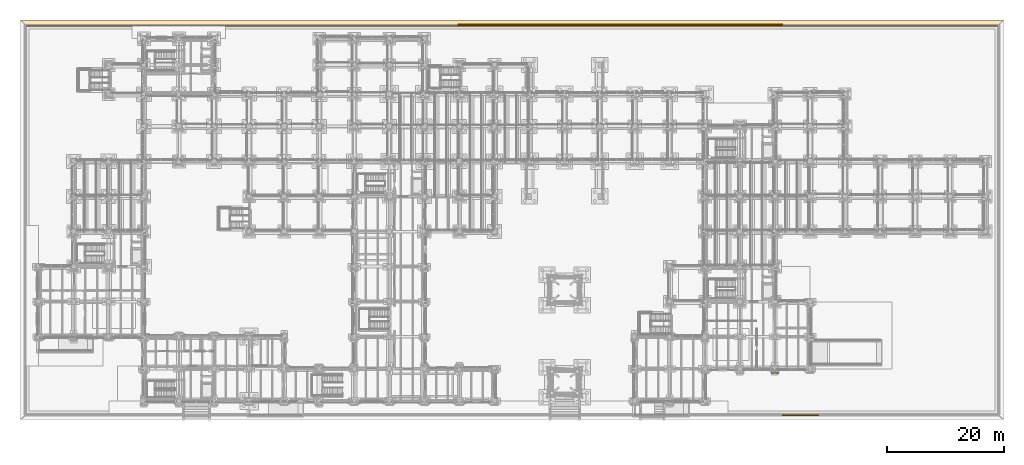
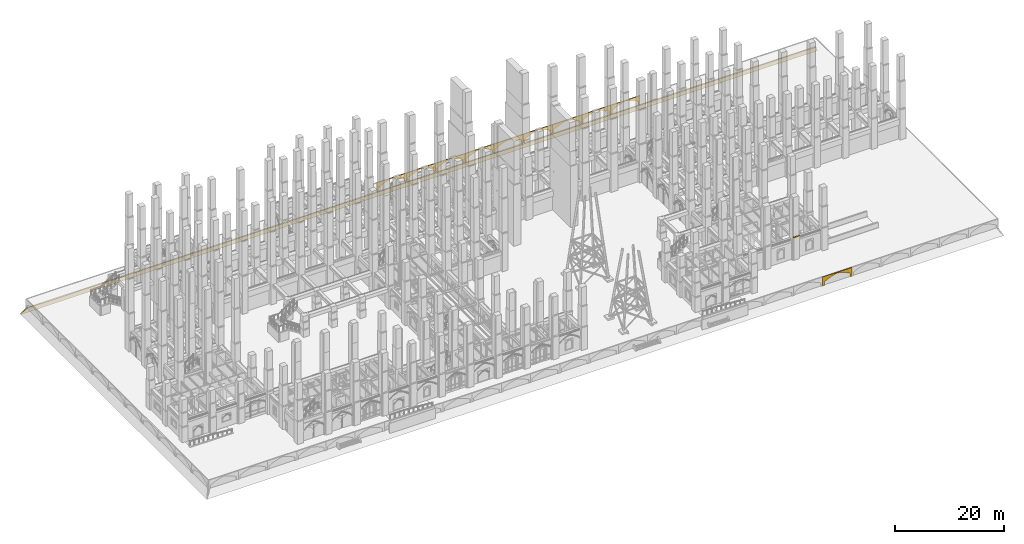
# One storey, part 123 of 135: 12 coverings.
"""IFC4 building model written with IfcOpenShell, lengths in metres."""

from ifc_helpers import new_model, si_unit, direction, frame, origin, place, context, subcontext, project, spatial, polyline, outline, extrude, material, type_object, element, save


model = new_model("IFC4")

# Units and contexts
model_context = context("Model", 3, precision=1e-05, world=origin(), true_north=direction((0.0, 1.0)))
body_context = subcontext(model_context, "Body", "Model", "MODEL_VIEW")
ifc_project = project(units=[si_unit("LENGTHUNIT", "METRE"), si_unit("AREAUNIT", "SQUARE_METRE"), si_unit("VOLUMEUNIT", "CUBIC_METRE"), si_unit("PLANEANGLEUNIT", "RADIAN"), si_unit("MASSUNIT", "GRAM", prefix="KILO")], contexts=[model_context])

# Site, building, storey
site_placement = place(None, origin())
site = spatial("IfcSite", under=ifc_project, at=site_placement, CompositionType="ELEMENT")
building_placement = place(site_placement, origin())
building = spatial("IfcBuilding", under=site, at=building_placement, Name="Cumevento Cable Car Station", CompositionType="ELEMENT")
storey_placement = place(building_placement, origin())
storey = spatial("IfcBuildingStorey", under=building, at=storey_placement, Name="L01", CompositionType="ELEMENT", Elevation=0.0)

# Coverings
ifc_material = material(Name="Gnaisse Facoidal Stone Ashlar 85 MPa", Category="masonry")
covering_type = type_object("IfcCoveringType", Name="Gnaisse Ashlar Cladding CV-CL01", PredefinedType="CLADDING", material=ifc_material)
covering_1_placement = place(storey_placement, frame((129.360107421875, 8.739990234375, 5.095703125), z_axis=(0.0, -0.711135781079, 0.703054692658), x_axis=(1.0, 0.0, 0.0)))
element("IfcCovering", 1, at=covering_1_placement, inside=storey, type_object=covering_type, Name="Gothic Buttress Sloped Stone Weathering 1 bt:130.0:9.5", PredefinedType="CLADDING", context=body_context, shape_type="SweptSolid", body=[
    extrude(outline(polyline([(0.0, 0.0), (1.27978515625, 0.0), (1.27978515625, 0.24169083397703695), (0.0, 0.24169083397703695), (0.0, 0.0)])), origin(), (0.0, 0.0, -1.0), 0.090087890625),
])
covering_2_placement = place(storey_placement, frame((137.479736328125, 1.64990234375, -1.919921875), z_axis=(0.0, 0.0, 1.0), x_axis=(-1.0, 0.0, 0.0)))
element("IfcCovering", 2, at=covering_2_placement, inside=storey, type_object=covering_type, Name="Gothic Ogival Pointed-Arch Stone Spandrel cumevento_plinth:plinth_arch:S:21", PredefinedType="CLADDING", context=body_context, shape_type="SweptSolid", body=[
    extrude(outline(polyline([(-0.02001953125, 0.0), (-0.02001953125, 1.9599609375), (6.194091796875, 1.9599609375), (6.194091796875, 0.0), (5.81396484375, 0.0), (5.81396484375, 0.77001953125), (5.3857421875, 1.00390625), (4.945068359375, 1.213623046875), (4.493408203125, 1.3984375), (4.0322265625, 1.558349609375), (3.56298828125, 1.692138671875), (3.087158203125, 1.800048828125), (2.611083984375, 1.692138671875), (2.141845703125, 1.558349609375), (1.6806640625, 1.3984375), (1.22900390625, 1.213623046875), (0.788330078125, 1.00390625), (0.360107421875, 0.77001953125), (0.360107421875, 0.0), (-0.02001953125, 0.0)])), frame((0.0, 0.14990234375, 0.0), z_axis=(0.0, -1.0, 0.0), x_axis=(1.0, 0.0, 0.0)), (0.0, 0.0, 1.0), 0.179931640625),
])
covering_3_placement = place(storey_placement, frame((169.199951171875, 69.199951171875, -3.52001953125), z_axis=(0.0, 0.880314012934, 0.474391440303), x_axis=(-1.0, 0.0, 0.0)))
element("IfcCovering", 3, at=covering_3_placement, inside=storey, type_object=covering_type, Name="Battered Granite Bedrock Toe Glacis N", PredefinedType="CLADDING", context=body_context, shape_type="SweptSolid", body=[
    extrude(outline(polyline([(0.0, 0.0), (168.39990234375, 0.0), (167.599853515625, 1.896961596050447), (0.800048828125, 1.896961596050447), (0.0, 0.0)])), origin(), (0.0, 0.0, -1.0), 0.199951171875),
])
for number, where, z_axis, x_axis, name in (
    (4, (125.131591796875, 68.35009765625, -1.919921875), (0.0, 0.0, 1.0), (1.0, 0.0, 0.0), "Gothic Ogival Pointed-Arch Stone Spandrel cumevento_plinth:plinth_arch:N:6"),
    (5, (118.95751953125, 68.35009765625, -1.919921875), (0.0, 0.0, 1.0), (1.0, 0.0, 0.0), "Gothic Ogival Pointed-Arch Stone Spandrel cumevento_plinth:plinth_arch:N:7"),
    (6, (112.783447265625, 68.35009765625, -1.919921875), (0.0, 0.0, 1.0), (1.0, 0.0, 0.0), "Gothic Ogival Pointed-Arch Stone Spandrel cumevento_plinth:plinth_arch:N:8"),
    (7, (106.609375, 68.35009765625, -1.919921875), (0.0, 0.0, 1.0), (1.0, 0.0, 0.0), "Gothic Ogival Pointed-Arch Stone Spandrel cumevento_plinth:plinth_arch:N:9"),
    (8, (100.435302734375, 68.35009765625, -1.919921875), (0.0, 0.0, 1.0), (1.0, 0.0, 0.0), "Gothic Ogival Pointed-Arch Stone Spandrel cumevento_plinth:plinth_arch:N:10"),
    (9, (94.26123046875, 68.35009765625, -1.919921875), (0.0, 0.0, 1.0), (1.0, 0.0, 0.0), "Gothic Ogival Pointed-Arch Stone Spandrel cumevento_plinth:plinth_arch:N:11"),
    (10, (88.087158203125, 68.35009765625, -1.919921875), (0.0, 0.0, 1.0), (1.0, 0.0, 0.0), "Gothic Ogival Pointed-Arch Stone Spandrel cumevento_plinth:plinth_arch:N:12"),
    (11, (81.912841796875, 68.35009765625, -1.919921875), (0.0, 0.0, 1.0), (1.0, 0.0, 0.0), "Gothic Ogival Pointed-Arch Stone Spandrel cumevento_plinth:plinth_arch:N:13"),
    (12, (75.73876953125, 68.35009765625, -1.919921875), (0.0, 0.0, 1.0), (1.0, 0.0, 0.0), "Gothic Ogival Pointed-Arch Stone Spandrel cumevento_plinth:plinth_arch:N:14"),
):
    element("IfcCovering", number, at=place(storey_placement, frame(where, z_axis=z_axis, x_axis=x_axis)), inside=storey, type_object=covering_type, Name=name, PredefinedType="CLADDING", context=body_context, shape_type="SweptSolid", body=[
        extrude(outline(polyline([(-0.02001953125, 0.0), (-0.02001953125, 1.9599609375), (6.194091796875, 1.9599609375), (6.194091796875, 0.0), (5.81396484375, 0.0), (5.81396484375, 0.77001953125), (5.3857421875, 1.00390625), (4.945068359375, 1.213623046875), (4.493408203125, 1.3984375), (4.0322265625, 1.558349609375), (3.56298828125, 1.692138671875), (3.087158203125, 1.800048828125), (2.611083984375, 1.692138671875), (2.141845703125, 1.558349609375), (1.6806640625, 1.3984375), (1.22900390625, 1.213623046875), (0.788330078125, 1.00390625), (0.360107421875, 0.77001953125), (0.360107421875, 0.0), (-0.02001953125, 0.0)])), frame((0.0, 0.14990234375, 0.0), z_axis=(0.0, -1.0, 0.0), x_axis=(1.0, 0.0, 0.0)), (0.0, 0.0, 1.0), 0.179931640625),
    ])

save(model, "model.ifc")
